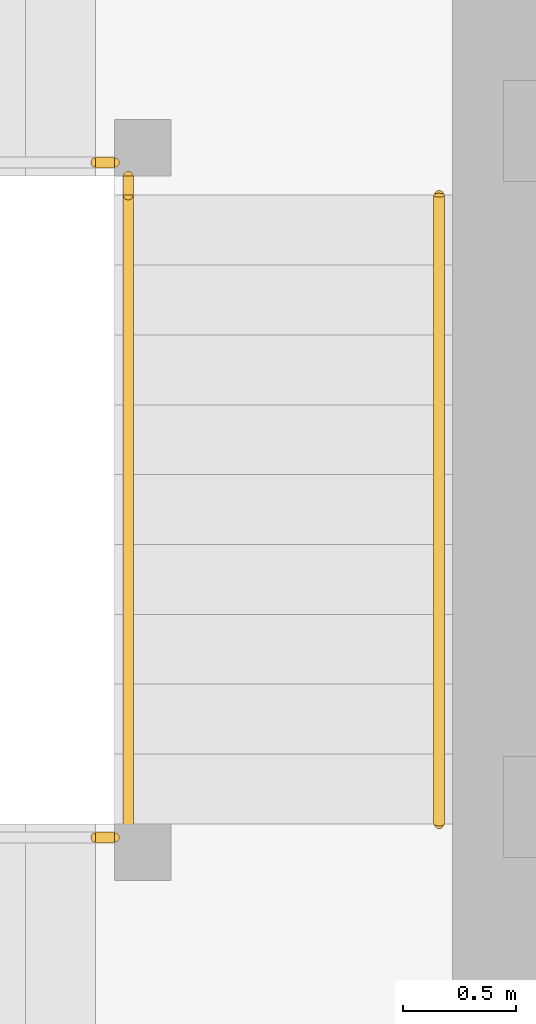
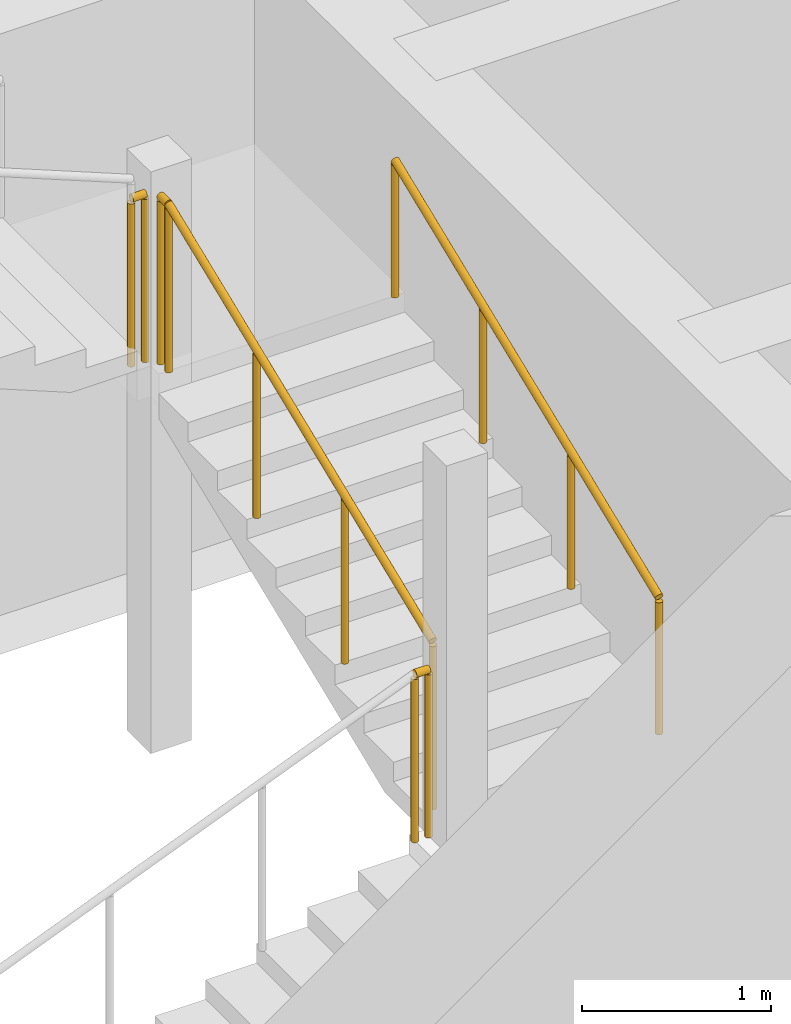
# One storey, part 35 of 39: 5 railings.
"""IFC4 building model written with IfcOpenShell, lengths in metres."""

from ifc_helpers import new_model, si_unit, direction, frame, origin, origin_2d, place, context, subcontext, project, spatial, circle, extrude, material, type_object, element, save


model = new_model("IFC4")

# Units and contexts
model_context = context("Model", 3, precision=1e-05, world=origin(), true_north=direction((0.0, 1.0)))
body_context = subcontext(model_context, "Body", "Model", "MODEL_VIEW")
ifc_project = project(units=[si_unit("LENGTHUNIT", "METRE"), si_unit("AREAUNIT", "SQUARE_METRE"), si_unit("VOLUMEUNIT", "CUBIC_METRE"), si_unit("PLANEANGLEUNIT", "RADIAN"), si_unit("MASSUNIT", "GRAM", prefix="KILO")], contexts=[model_context])

# Site, building, storey
site_placement = place(None, origin())
site = spatial("IfcSite", under=ifc_project, at=site_placement, CompositionType="ELEMENT")
building_placement = place(site_placement, origin())
building = spatial("IfcBuilding", under=site, at=building_placement, Name="Rekha Terrace Tower", CompositionType="ELEMENT")
storey_placement = place(building_placement, frame((0.0, 0.0, 180.199951171875)))
storey = spatial("IfcBuildingStorey", under=building, at=storey_placement, Name="L45", CompositionType="ELEMENT", Elevation=180.199951171875)

# Railings
ifc_material_1 = material(Name="Stainless steel balustrade", Category="steel")
railing_type_1 = type_object("IfcRailingType", Name="GR1 1100 stair guard", PredefinedType="GUARDRAIL", material=ifc_material_1)
railing_1_placement = place(storey_placement, frame((30.135009765625, 41.324951171875, 1.375)))
element("IfcRailing", 1, at=railing_1_placement, inside=storey, type_object=railing_type_1, Name="Guard ST4 L45 flight 2", PredefinedType="GUARDRAIL", context=body_context, shape_type="SweptSolid", body=[
    extrude(circle(Radius=0.02392578125, at=origin_2d()), frame((0.0, 0.0, 1.076171875), z_axis=(0.0, 0.927443287984, 0.373963831907), x_axis=(-1.0, 0.0, 0.0)), (0.0, 0.0, 1.0), 3.00830078125),
    extrude(circle(Radius=0.02099609375, at=origin_2d()), origin(), (0.0, 0.0, 1.0), 1.052001953125),
    extrude(circle(Radius=0.02099609375, at=origin_2d()), frame((0.0, 0.929931640625, 0.375)), (0.0, 0.0, 1.0), 1.052001953125),
    extrude(circle(Radius=0.02099609375, at=origin_2d()), frame((0.0, 1.860107421875, 0.75)), (0.0, 0.0, 1.0), 1.052001953125),
    extrude(circle(Radius=0.02099609375, at=origin_2d()), frame((0.0, 2.7900390625, 1.125)), (0.0, 0.0, 1.0), 1.052001953125),
])
railing_2_placement = place(storey_placement, frame((29.989990234375, 41.264892578125, 1.25)))
element("IfcRailing", 2, at=railing_2_placement, inside=storey, type_object=railing_type_1, Name="Guard ST4 L45 landing 1", PredefinedType="GUARDRAIL", context=body_context, shape_type="SweptSolid", body=[
    extrude(circle(Radius=0.02392578125, at=origin_2d()), frame((0.0, 0.0, 1.076171875), z_axis=(1.0, 0.0, 0.0), x_axis=(0.0, 1.0, 0.0)), (0.0, 0.0, 1.0), 0.0849609375),
    extrude(circle(Radius=0.02099609375, at=origin_2d()), origin(), (0.0, 0.0, 1.0), 1.052001953125),
    extrude(circle(Radius=0.02099609375, at=origin_2d()), frame((0.0849609375, 0.0, 0.0)), (0.0, 0.0, 1.0), 1.052001953125),
])
railing_3_placement = place(storey_placement, frame((30.135009765625, 44.114990234375, 2.5)))
element("IfcRailing", 3, at=railing_3_placement, inside=storey, type_object=railing_type_1, Name="Guard ST4 L45 landing 2", PredefinedType="GUARDRAIL", context=body_context, shape_type="SweptSolid", body=[
    extrude(circle(Radius=0.02392578125, at=origin_2d()), frame((0.0, 0.0, 1.076171875), z_axis=(0.0, 1.0, 0.0), x_axis=(-1.0, 0.0, 0.0)), (0.0, 0.0, 1.0), 0.0849609375),
    extrude(circle(Radius=0.02099609375, at=origin_2d()), origin(), (0.0, 0.0, 1.0), 1.052001953125),
    extrude(circle(Radius=0.02099609375, at=origin_2d()), frame((0.0, 0.0849609375, 0.0)), (0.0, 0.0, 1.0), 1.052001953125),
])
railing_4_placement = place(storey_placement, frame((29.989990234375, 44.260009765625, 2.5)))
element("IfcRailing", 4, at=railing_4_placement, inside=storey, type_object=railing_type_1, Name="Guard ST4 L45 landing 3", PredefinedType="GUARDRAIL", context=body_context, shape_type="SweptSolid", body=[
    extrude(circle(Radius=0.02392578125, at=origin_2d()), frame((0.0, 0.0, 1.076171875), z_axis=(1.0, 0.0, 0.0), x_axis=(0.0, 1.0, 0.0)), (0.0, 0.0, 1.0), 0.0849609375),
    extrude(circle(Radius=0.02099609375, at=origin_2d()), origin(), (0.0, 0.0, 1.0), 1.052001953125),
    extrude(circle(Radius=0.02099609375, at=origin_2d()), frame((0.0849609375, 0.0, 0.0)), (0.0, 0.0, 1.0), 1.052001953125),
])
ifc_material_2 = material(Name="Stainless steel tube", Category="steel")
railing_type_2 = type_object("IfcRailingType", Name="HR1 900 stair handrail", PredefinedType="HANDRAIL", material=ifc_material_2)
railing_5_placement = place(storey_placement, frame((31.514892578125, 41.324951171875, 1.375)))
element("IfcRailing", 5, at=railing_5_placement, inside=storey, type_object=railing_type_2, Name="Handrail ST4 L45 flight 2", PredefinedType="HANDRAIL", context=body_context, shape_type="SweptSolid", body=[
    extrude(circle(Radius=0.02392578125, at=origin_2d()), frame((0.0, 0.0, 0.8759765625), z_axis=(0.0, 0.927443287984, 0.373963831907), x_axis=(-1.0, 0.0, 0.0)), (0.0, 0.0, 1.0), 3.00830078125),
    extrude(circle(Radius=0.02099609375, at=origin_2d()), origin(), (0.0, 0.0, 1.0), 0.851806640625),
    extrude(circle(Radius=0.02099609375, at=origin_2d()), frame((0.0, 0.929931640625, 0.375)), (0.0, 0.0, 1.0), 0.851806640625),
    extrude(circle(Radius=0.02099609375, at=origin_2d()), frame((0.0, 1.860107421875, 0.75)), (0.0, 0.0, 1.0), 0.851806640625),
    extrude(circle(Radius=0.02099609375, at=origin_2d()), frame((0.0, 2.7900390625, 1.125)), (0.0, 0.0, 1.0), 0.851806640625),
])

save(model, "model.ifc")
